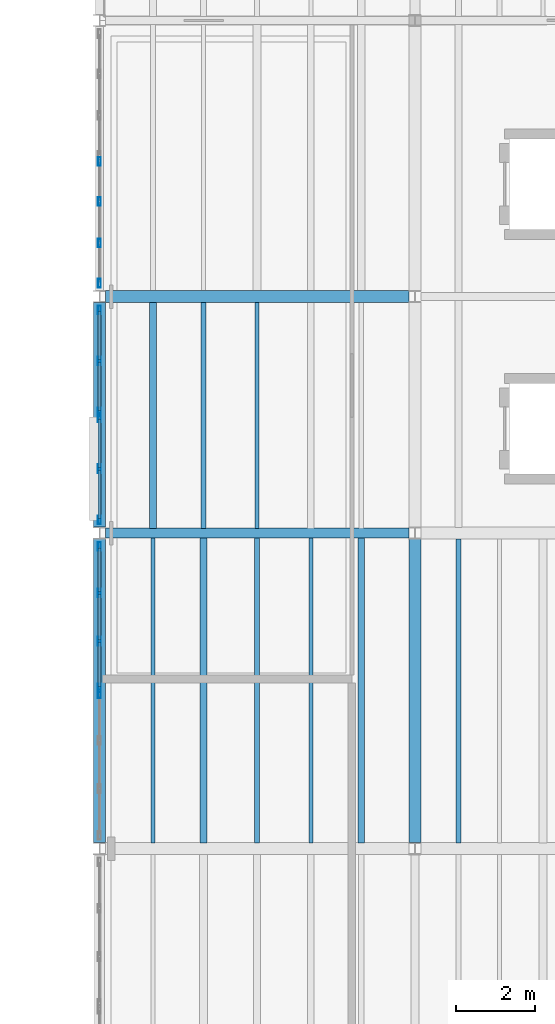
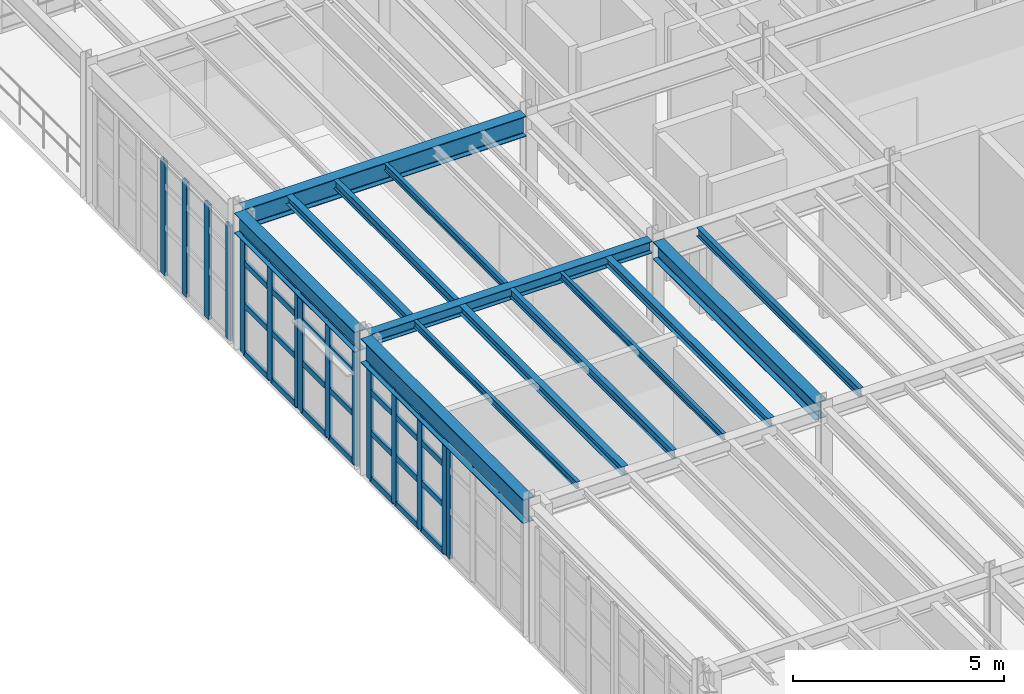
# One storey, part 7 of 27: 43 members, 14 beams, 5 elements without a shape of their own.
"""IFC4 building model written with IfcOpenShell, lengths in metres."""

from ifc_helpers import new_model, si_unit, direction, frame, origin, origin_2d, place, context, subcontext, project, spatial, hollow_rectangle, i_section, extrude, material, material_profile, profile_set, type_object, element, aggregate, save


model = new_model("IFC4")

# Units and contexts
model_context = context("Model", 3, precision=1e-05, world=origin(), true_north=direction((0.0, 1.0)))
body_context = subcontext(model_context, "Body", "Model", "MODEL_VIEW")
ifc_project = project(units=[si_unit("LENGTHUNIT", "METRE"), si_unit("AREAUNIT", "SQUARE_METRE"), si_unit("VOLUMEUNIT", "CUBIC_METRE"), si_unit("PLANEANGLEUNIT", "RADIAN"), si_unit("MASSUNIT", "GRAM", prefix="KILO"), si_unit("THERMODYNAMICTEMPERATUREUNIT", "KELVIN"), si_unit("POWERUNIT", "WATT")], contexts=[model_context])

# Site, building, storey
site_placement = place(None, origin())
site = spatial("IfcSite", under=ifc_project, at=site_placement, CompositionType="ELEMENT")
building_placement = place(site_placement, origin())
building = spatial("IfcBuilding", under=site, at=building_placement, Name="Zhenchuan Central Fire Station", CompositionType="ELEMENT")
storey_placement = place(building_placement, frame((0.0, 0.0, 14.25)))
storey = spatial("IfcBuildingStorey", under=building, at=storey_placement, Name="L04", CompositionType="ELEMENT", Elevation=14.25)

# Beams
ifc_material_1 = material(Name="Steel Q355B", Category="steel")
ifc_material_profile_1 = material_profile(ifc_material_1, i_section(OverallWidth=0.25, OverallDepth=0.340087890625, WebThickness=0.009033203125, FlangeThickness=0.013916015625, FilletRadius=0.01806640625, at=origin_2d()), Name="HM 340x250")
ifc_profile_set_1 = profile_set([ifc_material_profile_1], Name="Steel Q355B")
beam_type_1 = type_object("IfcBeamType", Name="BM-HM340", PredefinedType="BEAM", material=ifc_profile_set_1)
beam_1_placement = place(storey_placement, frame((140.14990234375, 22.5, 3.81005859375), z_axis=(1.0, 0.0, 0.0), x_axis=(0.0, 1.0, 0.0)))
element("IfcBeam", 1, at=beam_1_placement, inside=storey, type_object=beam_type_1, Name="L05 Girder EW 0438", PredefinedType="BEAM", context=body_context, shape_type="SweptSolid", body=[
    extrude(i_section(OverallWidth=0.25, OverallDepth=0.340087890625, WebThickness=0.009033203125, FlangeThickness=0.013916015625, FilletRadius=0.01806640625, at=origin_2d()), origin(), (0.0, 0.0, 1.0), 7.7001953125),
])
ifc_material_profile_2 = material_profile(ifc_material_1, i_section(OverallWidth=0.300048828125, OverallDepth=0.5, WebThickness=0.010986328125, FlangeThickness=0.01806640625, FilletRadius=0.02197265625, at=origin_2d()), Name="HM 500x300")
ifc_profile_set_2 = profile_set([ifc_material_profile_2], Name="Steel Q355B")
beam_type_2 = type_object("IfcBeamType", Name="BM-HM500-INT", PredefinedType="BEAM", material=ifc_profile_set_2)
beam_2_placement = place(storey_placement, frame((148.0, 14.64990234375, 3.72998046875), z_axis=(0.0, 1.0, 0.0), x_axis=(-1.0, 0.0, 0.0)))
element("IfcBeam", 2, at=beam_2_placement, inside=storey, type_object=beam_type_2, Name="L05 Girder NS 0468", PredefinedType="BEAM", context=body_context, shape_type="SweptSolid", body=[
    extrude(i_section(OverallWidth=0.300048828125, OverallDepth=0.5, WebThickness=0.010986328125, FlangeThickness=0.01806640625, FilletRadius=0.02197265625, at=origin_2d()), origin(), (0.0, 0.0, 1.0), 7.7001953125),
])
ifc_material_profile_3 = material_profile(ifc_material_1, i_section(OverallWidth=0.300048828125, OverallDepth=0.587890625, WebThickness=0.011962890625, FlangeThickness=0.02001953125, FilletRadius=0.02392578125, at=origin_2d()), Name="HM 588x300")
ifc_profile_set_3 = profile_set([ifc_material_profile_3], Name="Steel Q355B")
beam_type_3 = type_object("IfcBeamType", Name="BM-HM588", PredefinedType="BEAM", material=ifc_profile_set_3)
beam_3_placement = place(storey_placement, frame((140.14990234375, 28.5, 3.68603515625), z_axis=(1.0, 0.0, 0.0), x_axis=(0.0, 1.0, 0.0)))
element("IfcBeam", 3, at=beam_3_placement, inside=storey, type_object=beam_type_3, Name="L05 Girder EW 0440", PredefinedType="BEAM", context=body_context, shape_type="SweptSolid", body=[
    extrude(i_section(OverallWidth=0.300048828125, OverallDepth=0.587890625, WebThickness=0.011962890625, FlangeThickness=0.02001953125, FilletRadius=0.02392578125, at=origin_2d()), origin(), (0.0, 0.0, 1.0), 7.7001953125),
])
beam_4_placement = place(storey_placement, frame((140.0, 22.64990234375, 3.68603515625), z_axis=(0.0, 1.0, 0.0), x_axis=(-1.0, 0.0, 0.0)))
element("IfcBeam", 4, at=beam_4_placement, inside=storey, type_object=beam_type_3, Name="L05 Girder NS 0462", PredefinedType="BEAM", context=body_context, shape_type="SweptSolid", body=[
    extrude(i_section(OverallWidth=0.300048828125, OverallDepth=0.587890625, WebThickness=0.011962890625, FlangeThickness=0.02001953125, FilletRadius=0.02392578125, at=origin_2d()), origin(), (0.0, 0.0, 1.0), 5.7001953125),
])
ifc_material_profile_4 = material_profile(ifc_material_1, i_section(OverallWidth=0.300048828125, OverallDepth=0.699951171875, WebThickness=0.012939453125, FlangeThickness=0.02392578125, FilletRadius=0.02392578125, at=origin_2d()), Name="HN 700x300")
ifc_profile_set_4 = profile_set([ifc_material_profile_4], Name="Steel Q355B")
beam_type_4 = type_object("IfcBeamType", Name="BM-HN700", PredefinedType="BEAM", material=ifc_profile_set_4)
beam_5_placement = place(storey_placement, frame((140.0, 14.64990234375, 3.6298828125), z_axis=(0.0, 1.0, 0.0), x_axis=(-1.0, 0.0, 0.0)))
element("IfcBeam", 5, at=beam_5_placement, inside=storey, type_object=beam_type_4, Name="L05 Girder NS 0461", PredefinedType="BEAM", context=body_context, shape_type="SweptSolid", body=[
    extrude(i_section(OverallWidth=0.300048828125, OverallDepth=0.699951171875, WebThickness=0.012939453125, FlangeThickness=0.02392578125, FilletRadius=0.02392578125, at=origin_2d()), origin(), (0.0, 0.0, 1.0), 7.7001953125),
])

# Curtain wall, member
ifc_material_2 = material(Name="Anodised aluminium and low-E glazing", Category="aluminium")
curtain_wall_type_1 = type_object("IfcCurtainWallType", Name="CW-MOD-14", PredefinedType="USERDEFINED", material=ifc_material_2)
curtain_wall_1_placement = place(storey_placement, origin())
curtain_wall_1 = element("IfcCurtainWall", 6, at=curtain_wall_1_placement, inside=storey, type_object=curtain_wall_type_1, Name="L04 Unitised Curtain Wall 136", ObjectType="UNITISED GLAZING", PredefinedType="USERDEFINED")
ifc_material_3 = material(Name="Anodised aluminium EN AW-6063", Category="aluminium")
ifc_material_profile_5 = material_profile(ifc_material_3, hollow_rectangle(XDim=0.080078125, YDim=0.219970703125, WallThickness=0.005615234375, at=origin_2d()), Name="ALU-M 220x80")
ifc_profile_set_5 = profile_set([ifc_material_profile_5], Name="Anodised aluminium EN AW-6063")
member_type_1 = type_object("IfcMemberType", Name="CW-MUL200", PredefinedType="MULLION", material=ifc_profile_set_5)
member_1_placement = place(storey_placement, frame((140.0, 18.424560546875, -0.00390625), z_axis=(0.0, 0.0, 1.0), x_axis=(-1.0, 0.0, 0.0)))
member_1 = element("IfcMember", 7, at=member_1_placement, type_object=member_type_1, Name="CW-14 mullion 4", PredefinedType="MULLION", context=body_context, shape_type="SweptSolid", body=[
    extrude(hollow_rectangle(XDim=0.080078125, YDim=0.219970703125, WallThickness=0.005615234375, at=origin_2d()), origin(), (0.0, 0.0, 1.0), 3.27783203125),
])
aggregate(curtain_wall_1, [member_1])

# Curtain wall, members
curtain_wall_type_2 = type_object("IfcCurtainWallType", Name="CW-MOD-15", PredefinedType="USERDEFINED", material=ifc_material_2)
curtain_wall_2_placement = place(storey_placement, origin())
curtain_wall_2 = element("IfcCurtainWall", 8, at=curtain_wall_2_placement, inside=storey, type_object=curtain_wall_type_2, Name="L04 Unitised Curtain Wall 137", ObjectType="UNITISED GLAZING", PredefinedType="USERDEFINED")
member_2_placement = place(storey_placement, frame((140.0, 18.575439453125, -0.00390625), z_axis=(0.0, 0.0, 1.0), x_axis=(-1.0, 0.0, 0.0)))
member_2 = element("IfcMember", 9, at=member_2_placement, type_object=member_type_1, Name="CW-15 mullion 1", PredefinedType="MULLION", context=body_context, shape_type="SweptSolid", body=[
    extrude(hollow_rectangle(XDim=0.080078125, YDim=0.219970703125, WallThickness=0.005615234375, at=origin_2d()), origin(), (0.0, 0.0, 1.0), 3.27783203125),
])
member_3_placement = place(storey_placement, frame((140.0, 19.758544921875, -0.00390625), z_axis=(0.0, 0.0, 1.0), x_axis=(-1.0, 0.0, 0.0)))
member_3 = element("IfcMember", 10, at=member_3_placement, type_object=member_type_1, Name="CW-15 mullion 2", PredefinedType="MULLION", context=body_context, shape_type="SweptSolid", body=[
    extrude(hollow_rectangle(XDim=0.080078125, YDim=0.219970703125, WallThickness=0.005615234375, at=origin_2d()), origin(), (0.0, 0.0, 1.0), 3.27783203125),
])
member_4_placement = place(storey_placement, frame((140.0, 20.979248046875, -0.00390625), z_axis=(0.0, 0.0, 1.0), x_axis=(-1.0, 0.0, 0.0)))
member_4 = element("IfcMember", 11, at=member_4_placement, type_object=member_type_1, Name="CW-15 mullion 3", PredefinedType="MULLION", context=body_context, shape_type="SweptSolid", body=[
    extrude(hollow_rectangle(XDim=0.080078125, YDim=0.219970703125, WallThickness=0.005615234375, at=origin_2d()), origin(), (0.0, 0.0, 1.0), 3.27783203125),
])
member_5_placement = place(storey_placement, frame((140.0, 22.16259765625, -0.00390625), z_axis=(0.0, 0.0, 1.0), x_axis=(-1.0, 0.0, 0.0)))
member_5 = element("IfcMember", 12, at=member_5_placement, type_object=member_type_1, Name="CW-15 mullion 4", PredefinedType="MULLION", context=body_context, shape_type="SweptSolid", body=[
    extrude(hollow_rectangle(XDim=0.080078125, YDim=0.219970703125, WallThickness=0.005615234375, at=origin_2d()), origin(), (0.0, 0.0, 1.0), 3.27783203125),
])

curtain_wall_3_placement = place(storey_placement, origin())
curtain_wall_3 = element("IfcCurtainWall", 13, at=curtain_wall_3_placement, inside=storey, type_object=curtain_wall_type_2, Name="L04 Unitised Curtain Wall 138", ObjectType="UNITISED GLAZING", PredefinedType="USERDEFINED")
member_6_placement = place(storey_placement, frame((140.0, 22.83740234375, -0.00390625), z_axis=(0.0, 0.0, 1.0), x_axis=(-1.0, 0.0, 0.0)))
member_6 = element("IfcMember", 14, at=member_6_placement, type_object=member_type_1, Name="CW-15 mullion 1", PredefinedType="MULLION", context=body_context, shape_type="SweptSolid", body=[
    extrude(hollow_rectangle(XDim=0.080078125, YDim=0.219970703125, WallThickness=0.005615234375, at=origin_2d()), origin(), (0.0, 0.0, 1.0), 3.389892578125),
])
member_7_placement = place(storey_placement, frame((140.0, 24.131103515625, -0.00390625), z_axis=(0.0, 0.0, 1.0), x_axis=(-1.0, 0.0, 0.0)))
member_7 = element("IfcMember", 15, at=member_7_placement, type_object=member_type_1, Name="CW-15 mullion 2", PredefinedType="MULLION", context=body_context, shape_type="SweptSolid", body=[
    extrude(hollow_rectangle(XDim=0.080078125, YDim=0.219970703125, WallThickness=0.005615234375, at=origin_2d()), origin(), (0.0, 0.0, 1.0), 3.389892578125),
])
member_8_placement = place(storey_placement, frame((140.0, 25.424560546875, -0.00390625), z_axis=(0.0, 0.0, 1.0), x_axis=(-1.0, 0.0, 0.0)))
member_8 = element("IfcMember", 16, at=member_8_placement, type_object=member_type_1, Name="CW-15 mullion 3", PredefinedType="MULLION", context=body_context, shape_type="SweptSolid", body=[
    extrude(hollow_rectangle(XDim=0.080078125, YDim=0.219970703125, WallThickness=0.005615234375, at=origin_2d()), origin(), (0.0, 0.0, 1.0), 3.389892578125),
])

curtain_wall_type_3 = type_object("IfcCurtainWallType", Name="CW-MOD-16", PredefinedType="USERDEFINED", material=ifc_material_2)
curtain_wall_4_placement = place(storey_placement, origin())
curtain_wall_4 = element("IfcCurtainWall", 17, at=curtain_wall_4_placement, inside=storey, type_object=curtain_wall_type_3, Name="L04 Unitised Curtain Wall 139", ObjectType="UNITISED GLAZING", PredefinedType="USERDEFINED")
member_9_placement = place(storey_placement, frame((140.0, 25.575439453125, -0.00390625), z_axis=(0.0, 0.0, 1.0), x_axis=(-1.0, 0.0, 0.0)))
member_9 = element("IfcMember", 18, at=member_9_placement, type_object=member_type_1, Name="CW-16 mullion 1", PredefinedType="MULLION", context=body_context, shape_type="SweptSolid", body=[
    extrude(hollow_rectangle(XDim=0.080078125, YDim=0.219970703125, WallThickness=0.005615234375, at=origin_2d()), origin(), (0.0, 0.0, 1.0), 3.389892578125),
])
member_10_placement = place(storey_placement, frame((140.0, 26.868896484375, -0.00390625), z_axis=(0.0, 0.0, 1.0), x_axis=(-1.0, 0.0, 0.0)))
member_10 = element("IfcMember", 19, at=member_10_placement, type_object=member_type_1, Name="CW-16 mullion 2", PredefinedType="MULLION", context=body_context, shape_type="SweptSolid", body=[
    extrude(hollow_rectangle(XDim=0.080078125, YDim=0.219970703125, WallThickness=0.005615234375, at=origin_2d()), origin(), (0.0, 0.0, 1.0), 3.389892578125),
])
member_11_placement = place(storey_placement, frame((140.0, 28.16259765625, -0.00390625), z_axis=(0.0, 0.0, 1.0), x_axis=(-1.0, 0.0, 0.0)))
member_11 = element("IfcMember", 20, at=member_11_placement, type_object=member_type_1, Name="CW-16 mullion 3", PredefinedType="MULLION", context=body_context, shape_type="SweptSolid", body=[
    extrude(hollow_rectangle(XDim=0.080078125, YDim=0.219970703125, WallThickness=0.005615234375, at=origin_2d()), origin(), (0.0, 0.0, 1.0), 3.389892578125),
])

curtain_wall_5_placement = place(storey_placement, origin())
curtain_wall_5 = element("IfcCurtainWall", 21, at=curtain_wall_5_placement, inside=storey, type_object=curtain_wall_type_3, Name="L04 Unitised Curtain Wall 140", ObjectType="UNITISED GLAZING", PredefinedType="USERDEFINED")
member_12_placement = place(storey_placement, frame((140.0, 28.83740234375, -0.00390625), z_axis=(0.0, 0.0, 1.0), x_axis=(-1.0, 0.0, 0.0)))
member_12 = element("IfcMember", 22, at=member_12_placement, type_object=member_type_1, Name="CW-16 mullion 1", PredefinedType="MULLION", context=body_context, shape_type="SweptSolid", body=[
    extrude(hollow_rectangle(XDim=0.080078125, YDim=0.219970703125, WallThickness=0.005615234375, at=origin_2d()), origin(), (0.0, 0.0, 1.0), 3.327880859375),
])
member_13_placement = place(storey_placement, frame((140.0, 29.85400390625, -0.00390625), z_axis=(0.0, 0.0, 1.0), x_axis=(-1.0, 0.0, 0.0)))
member_13 = element("IfcMember", 23, at=member_13_placement, type_object=member_type_1, Name="CW-16 mullion 2", PredefinedType="MULLION", context=body_context, shape_type="SweptSolid", body=[
    extrude(hollow_rectangle(XDim=0.080078125, YDim=0.219970703125, WallThickness=0.005615234375, at=origin_2d()), origin(), (0.0, 0.0, 1.0), 3.327880859375),
])
member_14_placement = place(storey_placement, frame((140.0, 30.907958984375, -0.00390625), z_axis=(0.0, 0.0, 1.0), x_axis=(-1.0, 0.0, 0.0)))
member_14 = element("IfcMember", 24, at=member_14_placement, type_object=member_type_1, Name="CW-16 mullion 3", PredefinedType="MULLION", context=body_context, shape_type="SweptSolid", body=[
    extrude(hollow_rectangle(XDim=0.080078125, YDim=0.219970703125, WallThickness=0.005615234375, at=origin_2d()), origin(), (0.0, 0.0, 1.0), 3.327880859375),
])
member_15_placement = place(storey_placement, frame((140.0, 31.924560546875, -0.00390625), z_axis=(0.0, 0.0, 1.0), x_axis=(-1.0, 0.0, 0.0)))
member_15 = element("IfcMember", 25, at=member_15_placement, type_object=member_type_1, Name="CW-16 mullion 4", PredefinedType="MULLION", context=body_context, shape_type="SweptSolid", body=[
    extrude(hollow_rectangle(XDim=0.080078125, YDim=0.219970703125, WallThickness=0.005615234375, at=origin_2d()), origin(), (0.0, 0.0, 1.0), 3.327880859375),
])
aggregate(curtain_wall_5, [member_12, member_13, member_14, member_15])

# Member
ifc_material_profile_6 = material_profile(ifc_material_3, hollow_rectangle(XDim=0.080078125, YDim=0.1650390625, WallThickness=0.0048828125, at=origin_2d()), Name="ALU-T 165x80")
ifc_profile_set_6 = profile_set([ifc_material_profile_6], Name="Anodised aluminium EN AW-6063")
member_type_2 = type_object("IfcMemberType", Name="CW-TRN150", PredefinedType="NOTDEFINED", material=ifc_profile_set_6)
member_16_placement = place(storey_placement, frame((140.0, 18.613037109375, 0.033447265625), z_axis=(0.0, 1.0, 0.0), x_axis=(-1.0, 0.0, 0.0)))
member_16 = element("IfcMember", 26, at=member_16_placement, type_object=member_type_2, Name="CW-15 transom 1.1", ObjectType="TRANSOM", PredefinedType="USERDEFINED", context=body_context, shape_type="SweptSolid", body=[
    extrude(hollow_rectangle(XDim=0.080078125, YDim=0.1650390625, WallThickness=0.0048828125, at=origin_2d()), origin(), (0.0, 0.0, 1.0), 1.108154296875),
])

member_17_placement = place(storey_placement, frame((140.0, 18.613037109375, 1.375), z_axis=(0.0, 1.0, 0.0), x_axis=(-1.0, 0.0, 0.0)))
member_17 = element("IfcMember", 27, at=member_17_placement, type_object=member_type_2, Name="CW-15 transom 1.2", ObjectType="TRANSOM", PredefinedType="USERDEFINED", context=body_context, shape_type="SweptSolid", body=[
    extrude(hollow_rectangle(XDim=0.080078125, YDim=0.1650390625, WallThickness=0.0048828125, at=origin_2d()), origin(), (0.0, 0.0, 1.0), 1.108154296875),
])

member_18_placement = place(storey_placement, frame((140.0, 18.613037109375, 2.5537109375), z_axis=(0.0, 1.0, 0.0), x_axis=(-1.0, 0.0, 0.0)))
member_18 = element("IfcMember", 28, at=member_18_placement, type_object=member_type_2, Name="CW-15 transom 1.3", ObjectType="TRANSOM", PredefinedType="USERDEFINED", context=body_context, shape_type="SweptSolid", body=[
    extrude(hollow_rectangle(XDim=0.080078125, YDim=0.1650390625, WallThickness=0.0048828125, at=origin_2d()), origin(), (0.0, 0.0, 1.0), 1.108154296875),
])

member_19_placement = place(storey_placement, frame((140.0, 18.613037109375, 3.236572265625), z_axis=(0.0, 1.0, 0.0), x_axis=(-1.0, 0.0, 0.0)))
member_19 = element("IfcMember", 29, at=member_19_placement, type_object=member_type_2, Name="CW-15 transom 1.4", ObjectType="TRANSOM", PredefinedType="USERDEFINED", context=body_context, shape_type="SweptSolid", body=[
    extrude(hollow_rectangle(XDim=0.080078125, YDim=0.1650390625, WallThickness=0.0048828125, at=origin_2d()), origin(), (0.0, 0.0, 1.0), 1.108154296875),
])

member_20_placement = place(storey_placement, frame((140.0, 19.796142578125, 0.033447265625), z_axis=(0.0, 1.0, 0.0), x_axis=(-1.0, 0.0, 0.0)))
member_20 = element("IfcMember", 30, at=member_20_placement, type_object=member_type_2, Name="CW-15 transom 2.1", ObjectType="TRANSOM", PredefinedType="USERDEFINED", context=body_context, shape_type="SweptSolid", body=[
    extrude(hollow_rectangle(XDim=0.080078125, YDim=0.1650390625, WallThickness=0.0048828125, at=origin_2d()), origin(), (0.0, 0.0, 1.0), 1.145751953125),
])

member_21_placement = place(storey_placement, frame((140.0, 19.796142578125, 1.375), z_axis=(0.0, 1.0, 0.0), x_axis=(-1.0, 0.0, 0.0)))
member_21 = element("IfcMember", 31, at=member_21_placement, type_object=member_type_2, Name="CW-15 transom 2.2", ObjectType="TRANSOM", PredefinedType="USERDEFINED", context=body_context, shape_type="SweptSolid", body=[
    extrude(hollow_rectangle(XDim=0.080078125, YDim=0.1650390625, WallThickness=0.0048828125, at=origin_2d()), origin(), (0.0, 0.0, 1.0), 1.145751953125),
])

member_22_placement = place(storey_placement, frame((140.0, 19.796142578125, 2.5537109375), z_axis=(0.0, 1.0, 0.0), x_axis=(-1.0, 0.0, 0.0)))
member_22 = element("IfcMember", 32, at=member_22_placement, type_object=member_type_2, Name="CW-15 transom 2.3", ObjectType="TRANSOM", PredefinedType="USERDEFINED", context=body_context, shape_type="SweptSolid", body=[
    extrude(hollow_rectangle(XDim=0.080078125, YDim=0.1650390625, WallThickness=0.0048828125, at=origin_2d()), origin(), (0.0, 0.0, 1.0), 1.145751953125),
])

member_23_placement = place(storey_placement, frame((140.0, 19.796142578125, 3.236572265625), z_axis=(0.0, 1.0, 0.0), x_axis=(-1.0, 0.0, 0.0)))
member_23 = element("IfcMember", 33, at=member_23_placement, type_object=member_type_2, Name="CW-15 transom 2.4", ObjectType="TRANSOM", PredefinedType="USERDEFINED", context=body_context, shape_type="SweptSolid", body=[
    extrude(hollow_rectangle(XDim=0.080078125, YDim=0.1650390625, WallThickness=0.0048828125, at=origin_2d()), origin(), (0.0, 0.0, 1.0), 1.145751953125),
])

member_24_placement = place(storey_placement, frame((140.0, 21.016845703125, 0.033447265625), z_axis=(0.0, 1.0, 0.0), x_axis=(-1.0, 0.0, 0.0)))
member_24 = element("IfcMember", 34, at=member_24_placement, type_object=member_type_2, Name="CW-15 transom 3.1", ObjectType="TRANSOM", PredefinedType="USERDEFINED", context=body_context, shape_type="SweptSolid", body=[
    extrude(hollow_rectangle(XDim=0.080078125, YDim=0.1650390625, WallThickness=0.0048828125, at=origin_2d()), origin(), (0.0, 0.0, 1.0), 1.108154296875),
])

member_25_placement = place(storey_placement, frame((140.0, 21.016845703125, 1.375), z_axis=(0.0, 1.0, 0.0), x_axis=(-1.0, 0.0, 0.0)))
member_25 = element("IfcMember", 35, at=member_25_placement, type_object=member_type_2, Name="CW-15 transom 3.2", ObjectType="TRANSOM", PredefinedType="USERDEFINED", context=body_context, shape_type="SweptSolid", body=[
    extrude(hollow_rectangle(XDim=0.080078125, YDim=0.1650390625, WallThickness=0.0048828125, at=origin_2d()), origin(), (0.0, 0.0, 1.0), 1.108154296875),
])

member_26_placement = place(storey_placement, frame((140.0, 21.016845703125, 2.5537109375), z_axis=(0.0, 1.0, 0.0), x_axis=(-1.0, 0.0, 0.0)))
member_26 = element("IfcMember", 36, at=member_26_placement, type_object=member_type_2, Name="CW-15 transom 3.3", ObjectType="TRANSOM", PredefinedType="USERDEFINED", context=body_context, shape_type="SweptSolid", body=[
    extrude(hollow_rectangle(XDim=0.080078125, YDim=0.1650390625, WallThickness=0.0048828125, at=origin_2d()), origin(), (0.0, 0.0, 1.0), 1.108154296875),
])

member_27_placement = place(storey_placement, frame((140.0, 21.016845703125, 3.236572265625), z_axis=(0.0, 1.0, 0.0), x_axis=(-1.0, 0.0, 0.0)))
member_27 = element("IfcMember", 37, at=member_27_placement, type_object=member_type_2, Name="CW-15 transom 3.4", ObjectType="TRANSOM", PredefinedType="USERDEFINED", context=body_context, shape_type="SweptSolid", body=[
    extrude(hollow_rectangle(XDim=0.080078125, YDim=0.1650390625, WallThickness=0.0048828125, at=origin_2d()), origin(), (0.0, 0.0, 1.0), 1.108154296875),
])

aggregate(curtain_wall_2, [member_2, member_3, member_4, member_5, member_16, member_17, member_18, member_19, member_20, member_21, member_22, member_23, member_24, member_25, member_26, member_27])

member_28_placement = place(storey_placement, frame((140.0, 22.875, 0.033447265625), z_axis=(0.0, 1.0, 0.0), x_axis=(-1.0, 0.0, 0.0)))
member_28 = element("IfcMember", 38, at=member_28_placement, type_object=member_type_2, Name="CW-15 transom 1.1", ObjectType="TRANSOM", PredefinedType="USERDEFINED", context=body_context, shape_type="SweptSolid", body=[
    extrude(hollow_rectangle(XDim=0.080078125, YDim=0.1650390625, WallThickness=0.0048828125, at=origin_2d()), origin(), (0.0, 0.0, 1.0), 1.218505859375),
])

member_29_placement = place(storey_placement, frame((140.0, 22.875, 1.422119140625), z_axis=(0.0, 1.0, 0.0), x_axis=(-1.0, 0.0, 0.0)))
member_29 = element("IfcMember", 39, at=member_29_placement, type_object=member_type_2, Name="CW-15 transom 1.2", ObjectType="TRANSOM", PredefinedType="USERDEFINED", context=body_context, shape_type="SweptSolid", body=[
    extrude(hollow_rectangle(XDim=0.080078125, YDim=0.1650390625, WallThickness=0.0048828125, at=origin_2d()), origin(), (0.0, 0.0, 1.0), 1.218505859375),
])

member_30_placement = place(storey_placement, frame((140.0, 22.875, 2.64111328125), z_axis=(0.0, 1.0, 0.0), x_axis=(-1.0, 0.0, 0.0)))
member_30 = element("IfcMember", 40, at=member_30_placement, type_object=member_type_2, Name="CW-15 transom 1.3", ObjectType="TRANSOM", PredefinedType="USERDEFINED", context=body_context, shape_type="SweptSolid", body=[
    extrude(hollow_rectangle(XDim=0.080078125, YDim=0.1650390625, WallThickness=0.0048828125, at=origin_2d()), origin(), (0.0, 0.0, 1.0), 1.218505859375),
])

member_31_placement = place(storey_placement, frame((140.0, 22.875, 3.348388671875), z_axis=(0.0, 1.0, 0.0), x_axis=(-1.0, 0.0, 0.0)))
member_31 = element("IfcMember", 41, at=member_31_placement, type_object=member_type_2, Name="CW-15 transom 1.4", ObjectType="TRANSOM", PredefinedType="USERDEFINED", context=body_context, shape_type="SweptSolid", body=[
    extrude(hollow_rectangle(XDim=0.080078125, YDim=0.1650390625, WallThickness=0.0048828125, at=origin_2d()), origin(), (0.0, 0.0, 1.0), 1.218505859375),
])

member_32_placement = place(storey_placement, frame((140.0, 24.16845703125, 0.033447265625), z_axis=(0.0, 1.0, 0.0), x_axis=(-1.0, 0.0, 0.0)))
member_32 = element("IfcMember", 42, at=member_32_placement, type_object=member_type_2, Name="CW-15 transom 2.1", ObjectType="TRANSOM", PredefinedType="USERDEFINED", context=body_context, shape_type="SweptSolid", body=[
    extrude(hollow_rectangle(XDim=0.080078125, YDim=0.1650390625, WallThickness=0.0048828125, at=origin_2d()), origin(), (0.0, 0.0, 1.0), 1.218505859375),
])

member_33_placement = place(storey_placement, frame((140.0, 24.16845703125, 1.422119140625), z_axis=(0.0, 1.0, 0.0), x_axis=(-1.0, 0.0, 0.0)))
member_33 = element("IfcMember", 43, at=member_33_placement, type_object=member_type_2, Name="CW-15 transom 2.2", ObjectType="TRANSOM", PredefinedType="USERDEFINED", context=body_context, shape_type="SweptSolid", body=[
    extrude(hollow_rectangle(XDim=0.080078125, YDim=0.1650390625, WallThickness=0.0048828125, at=origin_2d()), origin(), (0.0, 0.0, 1.0), 1.218505859375),
])

member_34_placement = place(storey_placement, frame((140.0, 24.16845703125, 2.64111328125), z_axis=(0.0, 1.0, 0.0), x_axis=(-1.0, 0.0, 0.0)))
member_34 = element("IfcMember", 44, at=member_34_placement, type_object=member_type_2, Name="CW-15 transom 2.3", ObjectType="TRANSOM", PredefinedType="USERDEFINED", context=body_context, shape_type="SweptSolid", body=[
    extrude(hollow_rectangle(XDim=0.080078125, YDim=0.1650390625, WallThickness=0.0048828125, at=origin_2d()), origin(), (0.0, 0.0, 1.0), 1.218505859375),
])

member_35_placement = place(storey_placement, frame((140.0, 24.16845703125, 3.348388671875), z_axis=(0.0, 1.0, 0.0), x_axis=(-1.0, 0.0, 0.0)))
member_35 = element("IfcMember", 45, at=member_35_placement, type_object=member_type_2, Name="CW-15 transom 2.4", ObjectType="TRANSOM", PredefinedType="USERDEFINED", context=body_context, shape_type="SweptSolid", body=[
    extrude(hollow_rectangle(XDim=0.080078125, YDim=0.1650390625, WallThickness=0.0048828125, at=origin_2d()), origin(), (0.0, 0.0, 1.0), 1.218505859375),
])

aggregate(curtain_wall_3, [member_6, member_7, member_8, member_28, member_29, member_30, member_31, member_32, member_33, member_34, member_35])

member_36_placement = place(storey_placement, frame((140.0, 25.613037109375, 0.033447265625), z_axis=(0.0, 1.0, 0.0), x_axis=(-1.0, 0.0, 0.0)))
member_36 = element("IfcMember", 46, at=member_36_placement, type_object=member_type_2, Name="CW-16 transom 1.1", ObjectType="TRANSOM", PredefinedType="USERDEFINED", context=body_context, shape_type="SweptSolid", body=[
    extrude(hollow_rectangle(XDim=0.080078125, YDim=0.1650390625, WallThickness=0.0048828125, at=origin_2d()), origin(), (0.0, 0.0, 1.0), 1.218505859375),
])

member_37_placement = place(storey_placement, frame((140.0, 25.613037109375, 1.422119140625), z_axis=(0.0, 1.0, 0.0), x_axis=(-1.0, 0.0, 0.0)))
member_37 = element("IfcMember", 47, at=member_37_placement, type_object=member_type_2, Name="CW-16 transom 1.2", ObjectType="TRANSOM", PredefinedType="USERDEFINED", context=body_context, shape_type="SweptSolid", body=[
    extrude(hollow_rectangle(XDim=0.080078125, YDim=0.1650390625, WallThickness=0.0048828125, at=origin_2d()), origin(), (0.0, 0.0, 1.0), 1.218505859375),
])

member_38_placement = place(storey_placement, frame((140.0, 25.613037109375, 2.64111328125), z_axis=(0.0, 1.0, 0.0), x_axis=(-1.0, 0.0, 0.0)))
member_38 = element("IfcMember", 48, at=member_38_placement, type_object=member_type_2, Name="CW-16 transom 1.3", ObjectType="TRANSOM", PredefinedType="USERDEFINED", context=body_context, shape_type="SweptSolid", body=[
    extrude(hollow_rectangle(XDim=0.080078125, YDim=0.1650390625, WallThickness=0.0048828125, at=origin_2d()), origin(), (0.0, 0.0, 1.0), 1.218505859375),
])

member_39_placement = place(storey_placement, frame((140.0, 25.613037109375, 3.348388671875), z_axis=(0.0, 1.0, 0.0), x_axis=(-1.0, 0.0, 0.0)))
member_39 = element("IfcMember", 49, at=member_39_placement, type_object=member_type_2, Name="CW-16 transom 1.4", ObjectType="TRANSOM", PredefinedType="USERDEFINED", context=body_context, shape_type="SweptSolid", body=[
    extrude(hollow_rectangle(XDim=0.080078125, YDim=0.1650390625, WallThickness=0.0048828125, at=origin_2d()), origin(), (0.0, 0.0, 1.0), 1.218505859375),
])

member_40_placement = place(storey_placement, frame((140.0, 26.906494140625, 0.033447265625), z_axis=(0.0, 1.0, 0.0), x_axis=(-1.0, 0.0, 0.0)))
member_40 = element("IfcMember", 50, at=member_40_placement, type_object=member_type_2, Name="CW-16 transom 2.1", ObjectType="TRANSOM", PredefinedType="USERDEFINED", context=body_context, shape_type="SweptSolid", body=[
    extrude(hollow_rectangle(XDim=0.080078125, YDim=0.1650390625, WallThickness=0.0048828125, at=origin_2d()), origin(), (0.0, 0.0, 1.0), 1.218505859375),
])

member_41_placement = place(storey_placement, frame((140.0, 26.906494140625, 1.422119140625), z_axis=(0.0, 1.0, 0.0), x_axis=(-1.0, 0.0, 0.0)))
member_41 = element("IfcMember", 51, at=member_41_placement, type_object=member_type_2, Name="CW-16 transom 2.2", ObjectType="TRANSOM", PredefinedType="USERDEFINED", context=body_context, shape_type="SweptSolid", body=[
    extrude(hollow_rectangle(XDim=0.080078125, YDim=0.1650390625, WallThickness=0.0048828125, at=origin_2d()), origin(), (0.0, 0.0, 1.0), 1.218505859375),
])

member_42_placement = place(storey_placement, frame((140.0, 26.906494140625, 2.64111328125), z_axis=(0.0, 1.0, 0.0), x_axis=(-1.0, 0.0, 0.0)))
member_42 = element("IfcMember", 52, at=member_42_placement, type_object=member_type_2, Name="CW-16 transom 2.3", ObjectType="TRANSOM", PredefinedType="USERDEFINED", context=body_context, shape_type="SweptSolid", body=[
    extrude(hollow_rectangle(XDim=0.080078125, YDim=0.1650390625, WallThickness=0.0048828125, at=origin_2d()), origin(), (0.0, 0.0, 1.0), 1.218505859375),
])

member_43_placement = place(storey_placement, frame((140.0, 26.906494140625, 3.348388671875), z_axis=(0.0, 1.0, 0.0), x_axis=(-1.0, 0.0, 0.0)))
member_43 = element("IfcMember", 53, at=member_43_placement, type_object=member_type_2, Name="CW-16 transom 2.4", ObjectType="TRANSOM", PredefinedType="USERDEFINED", context=body_context, shape_type="SweptSolid", body=[
    extrude(hollow_rectangle(XDim=0.080078125, YDim=0.1650390625, WallThickness=0.0048828125, at=origin_2d()), origin(), (0.0, 0.0, 1.0), 1.218505859375),
])

aggregate(curtain_wall_4, [member_9, member_10, member_11, member_36, member_37, member_38, member_39, member_40, member_41, member_42, member_43])

# Beams
ifc_material_profile_7 = material_profile(ifc_material_1, i_section(OverallWidth=0.175048828125, OverallDepth=0.243896484375, WebThickness=0.007080078125, FlangeThickness=0.010986328125, FilletRadius=0.012939453125, at=origin_2d()), Name="HM 244x175")
ifc_profile_set_7 = profile_set([ifc_material_profile_7], Name="Steel Q355B")
beam_type_5 = type_object("IfcBeamType", Name="JS-HM244", PredefinedType="JOIST", material=ifc_profile_set_7)
for number, where, z_axis, x_axis, name in (
    (54, (142.639892578125, 14.64697265625, 3.85791015625), (0.0, 1.0, 0.0), (-1.0, 0.0, 0.0), "L05 Secondary Joist 0723"),
    (55, (146.639892578125, 14.64697265625, 3.85791015625), (0.0, 1.0, 0.0), (-1.0, 0.0, 0.0), "L05 Secondary Joist 0726"),
):
    element("IfcBeam", number, at=place(storey_placement, frame(where, z_axis=z_axis, x_axis=x_axis)), inside=storey, type_object=beam_type_5, Name=name, PredefinedType="JOIST", context=body_context, shape_type="SweptSolid", body=[
        extrude(i_section(OverallWidth=0.175048828125, OverallDepth=0.243896484375, WebThickness=0.007080078125, FlangeThickness=0.010986328125, FilletRadius=0.012939453125, at=origin_2d()), origin(), (0.0, 0.0, 1.0), 7.73095703125),
    ])
beam_6_placement = place(storey_placement, frame((141.360107421875, 22.6220703125, 3.85791015625), z_axis=(0.0, 1.0, 0.0), x_axis=(-1.0, 0.0, 0.0)))
element("IfcBeam", 56, at=beam_6_placement, inside=storey, type_object=beam_type_5, Name="L05 Secondary Joist 0732", PredefinedType="JOIST", context=body_context, shape_type="SweptSolid", body=[
    extrude(i_section(OverallWidth=0.175048828125, OverallDepth=0.243896484375, WebThickness=0.007080078125, FlangeThickness=0.010986328125, FilletRadius=0.012939453125, at=origin_2d()), origin(), (0.0, 0.0, 1.0), 5.73095703125),
])
ifc_material_profile_8 = material_profile(ifc_material_1, i_section(OverallWidth=0.10009765625, OverallDepth=0.199951171875, WebThickness=0.005615234375, FlangeThickness=0.008056640625, FilletRadius=0.010986328125, at=origin_2d()), Name="HN 200x100")
ifc_profile_set_8 = profile_set([ifc_material_profile_8], Name="Steel Q355B")
beam_type_6 = type_object("IfcBeamType", Name="JS-HN200", PredefinedType="JOIST", material=ifc_profile_set_8)
for number, where, z_axis, x_axis, name in (
    (57, (141.360107421875, 14.64697265625, 3.8798828125), (0.0, 1.0, 0.0), (-1.0, 0.0, 0.0), "L05 Secondary Joist 0722"),
    (58, (145.360107421875, 14.64697265625, 3.8798828125), (0.0, 1.0, 0.0), (-1.0, 0.0, 0.0), "L05 Secondary Joist 0725"),
):
    element("IfcBeam", number, at=place(storey_placement, frame(where, z_axis=z_axis, x_axis=x_axis)), inside=storey, type_object=beam_type_6, Name=name, PredefinedType="JOIST", context=body_context, shape_type="SweptSolid", body=[
        extrude(i_section(OverallWidth=0.10009765625, OverallDepth=0.199951171875, WebThickness=0.005615234375, FlangeThickness=0.008056640625, FilletRadius=0.010986328125, at=origin_2d()), origin(), (0.0, 0.0, 1.0), 7.73095703125),
    ])
beam_7_placement = place(storey_placement, frame((144.0, 22.6220703125, 3.8798828125), z_axis=(0.0, 1.0, 0.0), x_axis=(-1.0, 0.0, 0.0)))
element("IfcBeam", 59, at=beam_7_placement, inside=storey, type_object=beam_type_6, Name="L05 Secondary Joist 0734", PredefinedType="JOIST", context=body_context, shape_type="SweptSolid", body=[
    extrude(i_section(OverallWidth=0.10009765625, OverallDepth=0.199951171875, WebThickness=0.005615234375, FlangeThickness=0.008056640625, FilletRadius=0.010986328125, at=origin_2d()), origin(), (0.0, 0.0, 1.0), 5.73095703125),
])
ifc_material_profile_9 = material_profile(ifc_material_1, i_section(OverallWidth=0.125, OverallDepth=0.25, WebThickness=0.006103515625, FlangeThickness=0.009033203125, FilletRadius=0.011962890625, at=origin_2d()), Name="HN 250x125")
ifc_profile_set_9 = profile_set([ifc_material_profile_9], Name="Steel Q355B")
beam_type_7 = type_object("IfcBeamType", Name="JS-HN250", PredefinedType="JOIST", material=ifc_profile_set_9)
beam_8_placement = place(storey_placement, frame((144.0, 14.64697265625, 3.85498046875), z_axis=(0.0, 1.0, 0.0), x_axis=(-1.0, 0.0, 0.0)))
element("IfcBeam", 60, at=beam_8_placement, inside=storey, type_object=beam_type_7, Name="L05 Secondary Joist 0724", PredefinedType="JOIST", context=body_context, shape_type="SweptSolid", body=[
    extrude(i_section(OverallWidth=0.125, OverallDepth=0.25, WebThickness=0.006103515625, FlangeThickness=0.009033203125, FilletRadius=0.011962890625, at=origin_2d()), origin(), (0.0, 0.0, 1.0), 7.73095703125),
])
beam_9_placement = place(storey_placement, frame((149.10498046875, 14.64697265625, 3.85498046875), z_axis=(0.0, 1.0, 0.0), x_axis=(-1.0, 0.0, 0.0)))
element("IfcBeam", 61, at=beam_9_placement, inside=storey, type_object=beam_type_7, Name="L05 Secondary Joist 0727", PredefinedType="JOIST", context=body_context, shape_type="SweptSolid", body=[
    extrude(i_section(OverallWidth=0.125, OverallDepth=0.25, WebThickness=0.006103515625, FlangeThickness=0.009033203125, FilletRadius=0.011962890625, at=origin_2d()), origin(), (0.0, 0.0, 1.0), 7.7060546875),
])
beam_10_placement = place(storey_placement, frame((142.639892578125, 22.6220703125, 3.85498046875), z_axis=(0.0, 1.0, 0.0), x_axis=(-1.0, 0.0, 0.0)))
element("IfcBeam", 62, at=beam_10_placement, inside=storey, type_object=beam_type_7, Name="L05 Secondary Joist 0733", PredefinedType="JOIST", context=body_context, shape_type="SweptSolid", body=[
    extrude(i_section(OverallWidth=0.125, OverallDepth=0.25, WebThickness=0.006103515625, FlangeThickness=0.009033203125, FilletRadius=0.011962890625, at=origin_2d()), origin(), (0.0, 0.0, 1.0), 5.73095703125),
])

save(model, "model.ifc")
